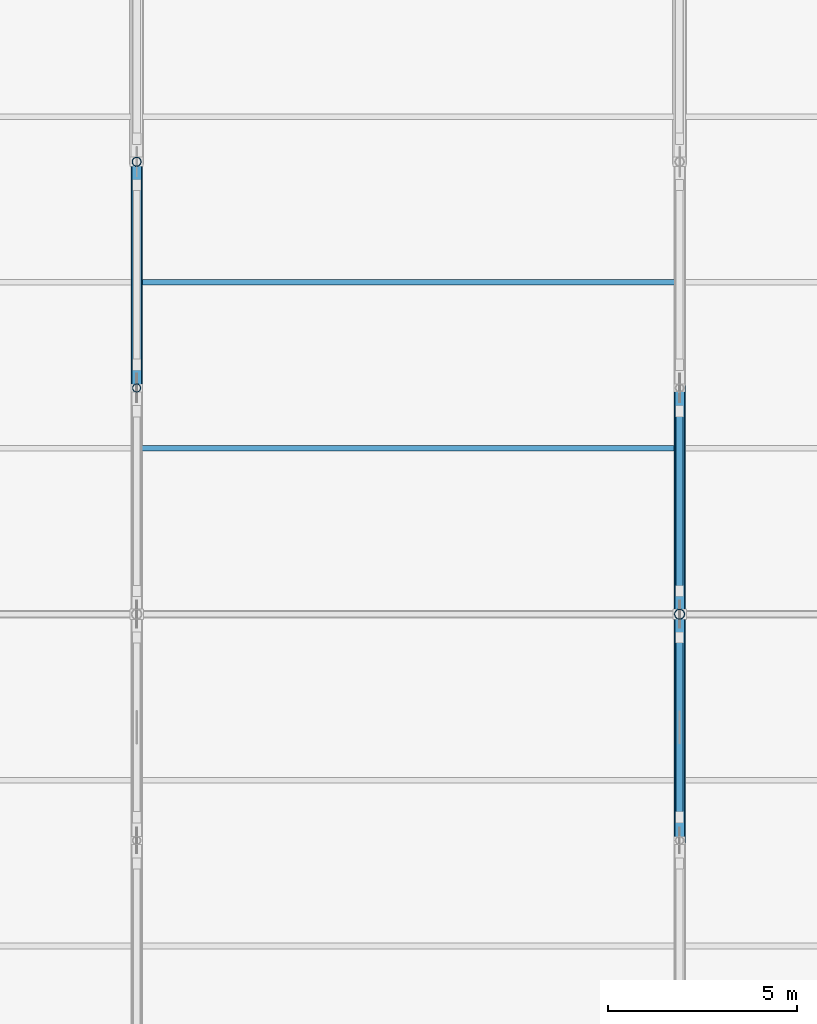
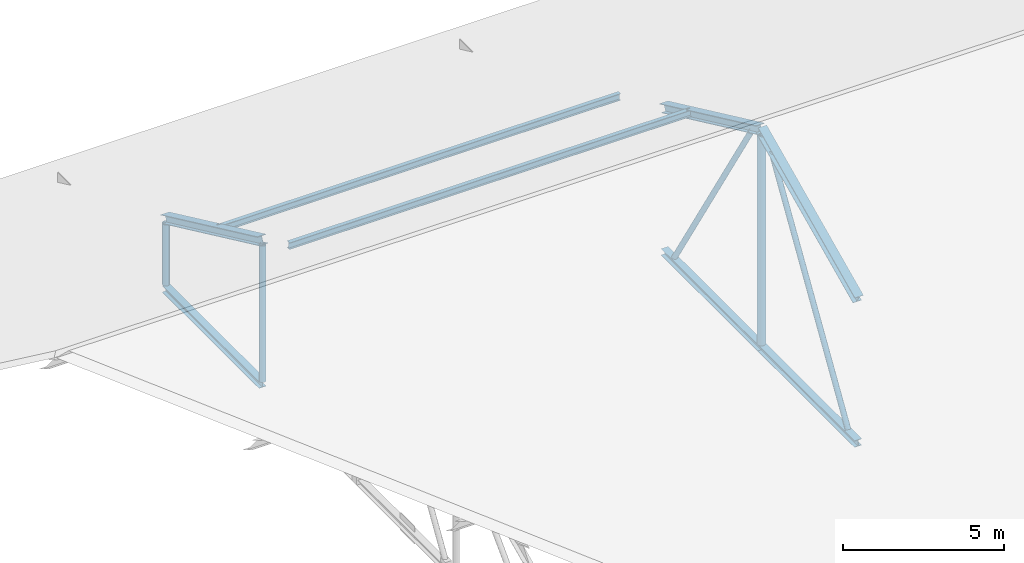
# One storey, part 106 of 141: 13 members, 2 elements without a shape of their own.
"""IFC4 building model written with IfcOpenShell, lengths in metres."""

from ifc_helpers import new_model, si_unit, direction, frame, origin, origin_2d, place, context, subcontext, project, spatial, hollow_circle, i_section, extrude, material, material_profile, profile_set, type_object, element, aggregate, save


model = new_model("IFC4")

# Units and contexts
model_context = context("Model", 3, precision=1e-05, world=origin(), true_north=direction((0.0, 1.0)))
body_context = subcontext(model_context, "Body", "Model", "MODEL_VIEW")
ifc_project = project(units=[si_unit("LENGTHUNIT", "METRE"), si_unit("AREAUNIT", "SQUARE_METRE"), si_unit("VOLUMEUNIT", "CUBIC_METRE"), si_unit("PLANEANGLEUNIT", "RADIAN"), si_unit("MASSUNIT", "GRAM", prefix="KILO")], contexts=[model_context])

# Site, building, storey
site_placement = place(None, origin())
site = spatial("IfcSite", under=ifc_project, at=site_placement, CompositionType="ELEMENT")
building_placement = place(site_placement, origin())
building = spatial("IfcBuilding", under=site, at=building_placement, Name="Seraya Terrace Polytechnic", CompositionType="ELEMENT")
storey_placement = place(building_placement, frame((0.0, 0.0, 14.39990234375)))
storey = spatial("IfcBuildingStorey", under=building, at=storey_placement, Name="L03", CompositionType="ELEMENT", Elevation=14.39990234375)

# Assembly, member
ifc_material = material(Name="Steel S355J2", Category="steel")
element_assembly_type = type_object("IfcElementAssemblyType", Name="TR-A1", PredefinedType="TRUSS", material=ifc_material)
assembly_1_placement = place(storey_placement, origin())
assembly_1 = element("IfcElementAssembly", 1, at=assembly_1_placement, inside=storey, type_object=element_assembly_type, Name="Pitched steel roof truss TR-05", AssemblyPlace="SITE", PredefinedType="TRUSS")
ifc_material_profile_1 = material_profile(ifc_material, i_section(OverallWidth=0.25390625, OverallDepth=0.25390625, WebThickness=0.0107421875, FlangeThickness=0.017333984375, at=origin_2d()), Name="UKC 254x254x10.7x17.3")
ifc_profile_set_1 = profile_set([ifc_material_profile_1], Name="Steel S355J2")
member_type_1 = type_object("IfcMemberType", Name="BC-02", PredefinedType="CHORD", material=ifc_profile_set_1)
member_1_placement = place(storey_placement, frame((72.0, 103.199951171875, 0.150146484375), z_axis=(0.0, 1.0, 0.0), x_axis=(-1.0, 0.0, 0.0)))
member_1 = element("IfcMember", 2, at=member_1_placement, type_object=member_type_1, Name="TR-05 bottom chord 5", PredefinedType="CHORD", context=body_context, shape_type="SweptSolid", body=[
    extrude(i_section(OverallWidth=0.25390625, OverallDepth=0.25390625, WebThickness=0.0107421875, FlangeThickness=0.017333984375, at=origin_2d()), origin(), (0.0, 0.0, 1.0), 6.0),
])

# Assembly, members
assembly_2_placement = place(storey_placement, origin())
assembly_2 = element("IfcElementAssembly", 3, at=assembly_2_placement, inside=storey, type_object=element_assembly_type, Name="Pitched steel roof truss TR-06", AssemblyPlace="SITE", PredefinedType="TRUSS")
member_2_placement = place(storey_placement, frame((86.39990234375, 91.199951171875, 0.150146484375), z_axis=(0.0, 1.0, 0.0), x_axis=(-1.0, 0.0, 0.0)))
member_2 = element("IfcMember", 4, at=member_2_placement, type_object=member_type_1, Name="TR-06 bottom chord 3", PredefinedType="CHORD", context=body_context, shape_type="SweptSolid", body=[
    extrude(i_section(OverallWidth=0.25390625, OverallDepth=0.25390625, WebThickness=0.0107421875, FlangeThickness=0.017333984375, at=origin_2d()), origin(), (0.0, 0.0, 1.0), 6.0),
])
member_3_placement = place(storey_placement, frame((86.39990234375, 97.199951171875, 0.150146484375), z_axis=(0.0, 1.0, 0.0), x_axis=(-1.0, 0.0, 0.0)))
member_3 = element("IfcMember", 5, at=member_3_placement, type_object=member_type_1, Name="TR-06 bottom chord 4", PredefinedType="CHORD", context=body_context, shape_type="SweptSolid", body=[
    extrude(i_section(OverallWidth=0.25390625, OverallDepth=0.25390625, WebThickness=0.0107421875, FlangeThickness=0.017333984375, at=origin_2d()), origin(), (0.0, 0.0, 1.0), 6.0),
])
ifc_material_profile_2 = material_profile(ifc_material, hollow_circle(Radius=0.096923828125, WallThickness=0.010009765625, at=origin_2d()), Name="CHS 193.7x10.0")
ifc_profile_set_2 = profile_set([ifc_material_profile_2], Name="Steel S355J2")
member_type_2 = type_object("IfcMemberType", Name="BR-02", PredefinedType="BRACE", material=ifc_profile_set_2)
member_4_placement = place(storey_placement, frame((86.39990234375, 91.820068359375, 0.291015625), z_axis=(0.0, 0.528137409747, 0.84915892295), x_axis=(-1.0, 0.0, 0.0)))
member_4 = element("IfcMember", 6, at=member_4_placement, type_object=member_type_2, Name="TR-06 web diagonal 3", PredefinedType="BRACE", context=body_context, shape_type="SweptSolid", body=[
    extrude(hollow_circle(Radius=0.096923828125, WallThickness=0.010009765625, at=origin_2d()), origin(), (0.0, 0.0, 1.0), 9.012939453125),
])
member_5_placement = place(storey_placement, frame((86.39990234375, 97.820068359375, 7.9443359375), z_axis=(0.0, 0.528137409747, -0.84915892295), x_axis=(-1.0, 0.0, 0.0)))
member_5 = element("IfcMember", 7, at=member_5_placement, type_object=member_type_2, Name="TR-06 web diagonal 4", PredefinedType="BRACE", context=body_context, shape_type="SweptSolid", body=[
    extrude(hollow_circle(Radius=0.096923828125, WallThickness=0.010009765625, at=origin_2d()), origin(), (0.0, 0.0, 1.0), 9.012939453125),
])

# Members
ifc_material_profile_3 = material_profile(ifc_material, i_section(OverallWidth=0.14599609375, OverallDepth=0.25390625, WebThickness=0.007080078125, FlangeThickness=0.01416015625, at=origin_2d()), Name="UKB 254x146x7.2x14.2")
ifc_profile_set_3 = profile_set([ifc_material_profile_3], Name="Steel S355J2")
member_type_3 = type_object("IfcMemberType", Name="PR-01", PredefinedType="PURLIN", material=ifc_profile_set_3)
for number, where, z_axis, x_axis, name in (
    (8, (72.0, 101.60009765625, 6.376953125), (1.0, 0.0, 0.0), (0.0, 1.0, 0.0), "Workshop roof purlin PR-01 bay 5.7"),
    (9, (72.0, 106.0, 4.323486328125), (1.0, 0.0, 0.0), (0.0, 1.0, 0.0), "Workshop roof purlin PR-01 bay 5.8"),
):
    element("IfcMember", number, at=place(storey_placement, frame(where, z_axis=z_axis, x_axis=x_axis)), inside=storey, type_object=member_type_3, Name=name, PredefinedType="PURLIN", context=body_context, shape_type="SweptSolid", body=[
        extrude(i_section(OverallWidth=0.14599609375, OverallDepth=0.25390625, WebThickness=0.007080078125, FlangeThickness=0.01416015625, at=origin_2d()), origin(), (0.0, 0.0, 1.0), 14.39990234375),
    ])

# Member
ifc_material_profile_4 = material_profile(ifc_material, hollow_circle(Radius=0.136474609375, WallThickness=0.012451171875, at=origin_2d()), Name="CHS 273.0x12.5")
ifc_profile_set_4 = profile_set([ifc_material_profile_4], Name="Steel S355J2")
member_type_4 = type_object("IfcMemberType", Name="ST-M1", PredefinedType="STRUT", material=ifc_profile_set_4)
member_6_placement = place(storey_placement, frame((86.39990234375, 97.199951171875, 0.281005859375), z_axis=(0.0, 0.0, 1.0), x_axis=(1.0, 0.0, 0.0)))
member_6 = element("IfcMember", 10, at=member_6_placement, type_object=member_type_4, Name="TR-06 vertical strut 4", PredefinedType="STRUT", context=body_context, shape_type="SweptSolid", body=[
    extrude(hollow_circle(Radius=0.136474609375, WallThickness=0.012451171875, at=origin_2d()), origin(), (0.0, 0.0, 1.0), 7.962646484375),
])

ifc_material_profile_5 = material_profile(ifc_material, hollow_circle(Radius=0.122314453125, WallThickness=0.012451171875, at=origin_2d()), Name="CHS 244.5x12.5")
ifc_profile_set_5 = profile_set([ifc_material_profile_5], Name="Steel S355J2")
member_type_5 = type_object("IfcMemberType", Name="ST-M2", PredefinedType="STRUT", material=ifc_profile_set_5)
member_7_placement = place(storey_placement, frame((72.0, 109.199951171875, 0.306640625), z_axis=(0.0, 0.0, 1.0), x_axis=(1.0, 0.0, 0.0)))
member_7 = element("IfcMember", 11, at=member_7_placement, type_object=member_type_5, Name="TR-05 vertical strut 6", PredefinedType="STRUT", context=body_context, shape_type="SweptSolid", body=[
    extrude(hollow_circle(Radius=0.122314453125, WallThickness=0.012451171875, at=origin_2d()), origin(), (0.0, 0.0, 1.0), 2.3115234375),
])

ifc_material_profile_6 = material_profile(ifc_material, hollow_circle(Radius=0.109619140625, WallThickness=0.010009765625, at=origin_2d()), Name="CHS 219.1x10.0")
ifc_profile_set_6 = profile_set([ifc_material_profile_6], Name="Steel S355J2")
member_type_6 = type_object("IfcMemberType", Name="ST-M3", PredefinedType="STRUT", material=ifc_profile_set_6)
member_8_placement = place(storey_placement, frame((72.0, 103.199951171875, 0.281005859375), z_axis=(0.0, 0.0, 1.0), x_axis=(1.0, 0.0, 0.0)))
member_8 = element("IfcMember", 12, at=member_8_placement, type_object=member_type_6, Name="TR-05 vertical strut 5", PredefinedType="STRUT", context=body_context, shape_type="SweptSolid", body=[
    extrude(hollow_circle(Radius=0.109619140625, WallThickness=0.010009765625, at=origin_2d()), origin(), (0.0, 0.0, 1.0), 5.16259765625),
])

ifc_material_profile_7 = material_profile(ifc_material, i_section(OverallWidth=0.304931640625, OverallDepth=0.304931640625, WebThickness=0.011962890625, FlangeThickness=0.019775390625, at=origin_2d()), Name="UKC 305x305x12.0x19.7")
ifc_profile_set_7 = profile_set([ifc_material_profile_7], Name="Steel S355J2")
member_type_7 = type_object("IfcMemberType", Name="TC-02", PredefinedType="CHORD", material=ifc_profile_set_7)
member_9_placement = place(storey_placement, frame((72.0, 103.199951171875, 5.60009765625), z_axis=(0.0, 0.906180313975, -0.422891521036), x_axis=(-1.0, 0.0, 0.0)))
member_9 = element("IfcMember", 13, at=member_9_placement, type_object=member_type_7, Name="TR-05 top chord 5", PredefinedType="CHORD", context=body_context, shape_type="SweptSolid", body=[
    extrude(i_section(OverallWidth=0.304931640625, OverallDepth=0.304931640625, WebThickness=0.011962890625, FlangeThickness=0.019775390625, at=origin_2d()), origin(), (0.0, 0.0, 1.0), 6.62109375),
])

aggregate(assembly_1, [member_1, member_9, member_8, member_7])

member_10_placement = place(storey_placement, frame((86.39990234375, 91.199951171875, 5.60009765625), z_axis=(0.0, 0.906180313975, 0.422891521036), x_axis=(-1.0, 0.0, 0.0)))
member_10 = element("IfcMember", 14, at=member_10_placement, type_object=member_type_7, Name="TR-06 top chord 3", PredefinedType="CHORD", context=body_context, shape_type="SweptSolid", body=[
    extrude(i_section(OverallWidth=0.304931640625, OverallDepth=0.304931640625, WebThickness=0.011962890625, FlangeThickness=0.019775390625, at=origin_2d()), origin(), (0.0, 0.0, 1.0), 6.62109375),
])

member_11_placement = place(storey_placement, frame((86.39990234375, 97.199951171875, 8.400146484375), z_axis=(0.0, 0.906180313975, -0.422891521036), x_axis=(-1.0, 0.0, 0.0)))
member_11 = element("IfcMember", 15, at=member_11_placement, type_object=member_type_7, Name="TR-06 top chord 4", PredefinedType="CHORD", context=body_context, shape_type="SweptSolid", body=[
    extrude(i_section(OverallWidth=0.304931640625, OverallDepth=0.304931640625, WebThickness=0.011962890625, FlangeThickness=0.019775390625, at=origin_2d()), origin(), (0.0, 0.0, 1.0), 6.62109375),
])

aggregate(assembly_2, [member_2, member_10, member_3, member_11, member_6, member_4, member_5])

save(model, "model.ifc")
